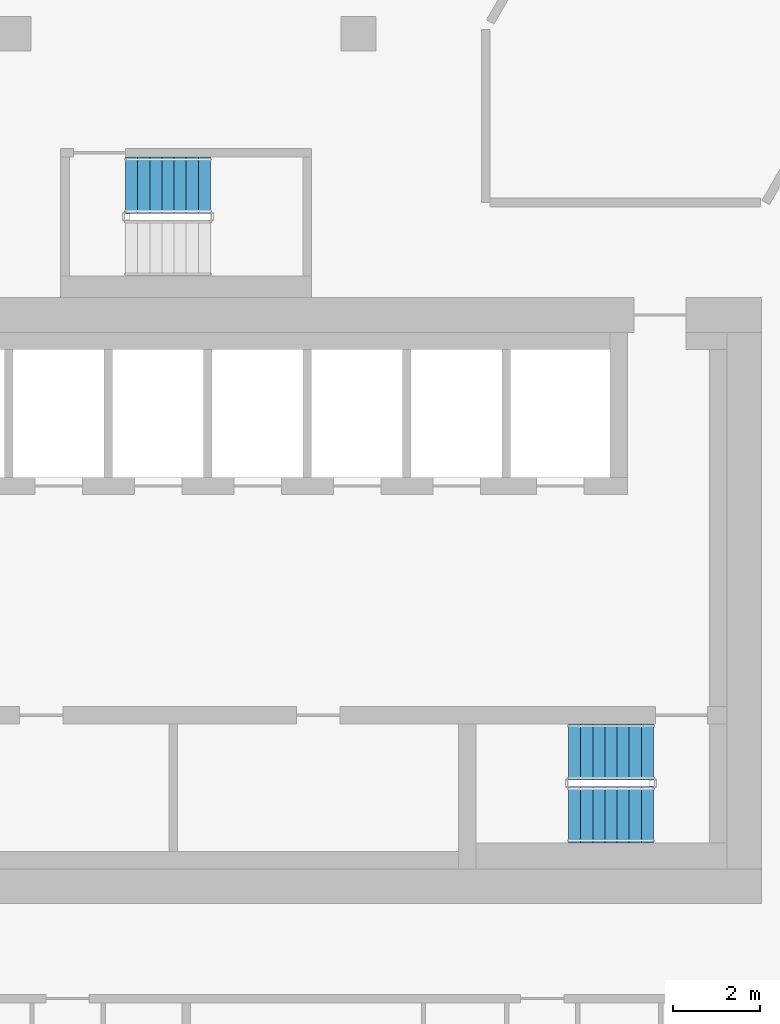
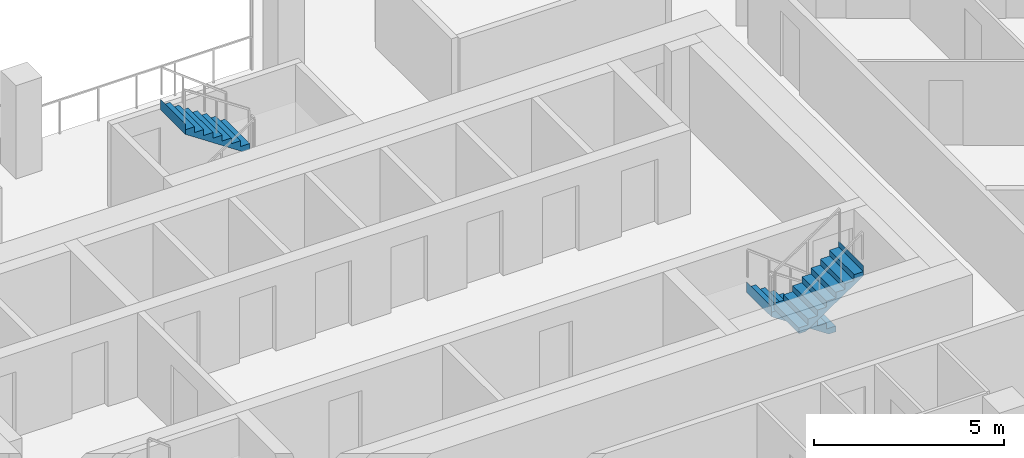
# One storey, part 11 of 15: 3 stair flights, 2 elements without a shape of their own.
"""IFC4 building model written with IfcOpenShell, lengths in metres."""

from ifc_helpers import new_model, si_unit, direction, frame, origin, place, context, subcontext, project, spatial, triangles, material, type_object, element, aggregate, save


model = new_model("IFC4")

# Units and contexts
model_context = context("Model", 3, precision=1e-05, world=origin(), true_north=direction((0.0, 1.0)))
body_context = subcontext(model_context, "Body", "Model", "MODEL_VIEW")
ifc_project = project(units=[si_unit("LENGTHUNIT", "METRE"), si_unit("AREAUNIT", "SQUARE_METRE"), si_unit("VOLUMEUNIT", "CUBIC_METRE"), si_unit("PLANEANGLEUNIT", "RADIAN"), si_unit("MASSUNIT", "GRAM", prefix="KILO")], contexts=[model_context])

# Site, building, storey
site_placement = place(None, origin())
site = spatial("IfcSite", under=ifc_project, at=site_placement, CompositionType="ELEMENT")
building_placement = place(site_placement, origin())
building = spatial("IfcBuilding", under=site, at=building_placement, Name="Beryl Residences", CompositionType="ELEMENT")
storey_placement = place(building_placement, frame((0.0, 0.0, 117.60009765625)))
storey = spatial("IfcBuildingStorey", under=building, at=storey_placement, Name="L35", CompositionType="ELEMENT", Elevation=117.60009765625)

# Stair, stair flights
ifc_material_1 = material(Name="Concrete C40/50", Category="concrete")
stair_type = type_object("IfcStairType", Name="ST1 protected exit stair, half-turn, 1300 mm flights", PredefinedType="HALF_TURN_STAIR", material=ifc_material_1)
stair_1_placement = place(storey_placement, origin())
stair_1 = element("IfcStair", 1, at=stair_1_placement, inside=storey, type_object=stair_type, Name="L35 PROTECTED EXIT STAIR ST-3", PredefinedType="HALF_TURN_STAIR")
ifc_material_2 = material(Name="Concrete C40/50", Category="concrete")
stair_flight_type = type_object("IfcStairFlightType", Name="SF1 stair flight 1300 mm", PredefinedType="STRAIGHT", material=ifc_material_2)
stair_flight_1_placement = place(storey_placement, frame((10.800048828125, -15.5, 0.0), z_axis=(0.0, 0.0, 1.0), x_axis=(-1.0, 0.0, 0.0)))
stair_flight_1 = element("IfcStairFlight", 2, at=stair_flight_1_placement, type_object=stair_flight_type, Name="ST-3 flight 1", NumberOfRisers=8, NumberOfTreads=7, PredefinedType="STRAIGHT", RiserHeight=0.1875, TreadLength=0.28, context=body_context, shape_type="Tessellation", body=[
    triangles([(0.0, -0.64990234375, 0.0), (0.0, -0.324951171875, 0.0), (0.0, 0.0, 0.0), (0.0, 0.324951171875, 0.0), (0.0, 0.64990234375, 0.0), (0.0, -0.64990234375, 0.1875), (0.0, -0.324951171875, 0.1875), (0.0, 0.0, 0.1875), (0.0, 0.324951171875, 0.1875), (0.0, 0.64990234375, 0.1875), (0.280029296875, -0.64990234375, 0.1875), (0.280029296875, -0.324951171875, 0.1875), (0.280029296875, 0.0, 0.1875), (0.280029296875, 0.324951171875, 0.1875), (0.280029296875, 0.64990234375, 0.1875), (0.280029296875, -0.64990234375, 0.375), (0.280029296875, -0.324951171875, 0.375), (0.280029296875, 0.0, 0.375), (0.280029296875, 0.324951171875, 0.375), (0.280029296875, 0.64990234375, 0.375), (0.56005859375, -0.64990234375, 0.375), (0.56005859375, -0.324951171875, 0.375), (0.56005859375, 0.0, 0.375), (0.56005859375, 0.324951171875, 0.375), (0.56005859375, 0.64990234375, 0.375), (0.56005859375, -0.64990234375, 0.5625), (0.56005859375, -0.324951171875, 0.5625), (0.56005859375, 0.0, 0.5625), (0.56005859375, 0.324951171875, 0.5625), (0.56005859375, 0.64990234375, 0.5625), (0.840087890625, -0.64990234375, 0.5625), (0.840087890625, -0.324951171875, 0.5625), (0.840087890625, 0.0, 0.5625), (0.840087890625, 0.324951171875, 0.5625), (0.840087890625, 0.64990234375, 0.5625), (0.840087890625, -0.64990234375, 0.75), (0.840087890625, -0.324951171875, 0.75), (0.840087890625, 0.0, 0.75), (0.840087890625, 0.324951171875, 0.75), (0.840087890625, 0.64990234375, 0.75), (1.1201171875, -0.64990234375, 0.75), (1.1201171875, -0.324951171875, 0.75), (1.1201171875, 0.0, 0.75), (1.1201171875, 0.324951171875, 0.75), (1.1201171875, 0.64990234375, 0.75), (1.1201171875, -0.64990234375, 0.9375), (1.1201171875, -0.324951171875, 0.9375), (1.1201171875, 0.0, 0.9375), (1.1201171875, 0.324951171875, 0.9375), (1.1201171875, 0.64990234375, 0.9375), (1.39990234375, -0.64990234375, 0.9375), (1.39990234375, -0.324951171875, 0.9375), (1.39990234375, 0.0, 0.9375), (1.39990234375, 0.324951171875, 0.9375), (1.39990234375, 0.64990234375, 0.9375), (1.39990234375, -0.64990234375, 1.125), (1.39990234375, -0.324951171875, 1.125), (1.39990234375, 0.0, 1.125), (1.39990234375, 0.324951171875, 1.125), (1.39990234375, 0.64990234375, 1.125), (1.679931640625, -0.64990234375, 1.125), (1.679931640625, -0.324951171875, 1.125), (1.679931640625, 0.0, 1.125), (1.679931640625, 0.324951171875, 1.125), (1.679931640625, 0.64990234375, 1.125), (1.679931640625, -0.64990234375, 1.3125), (1.679931640625, -0.324951171875, 1.3125), (1.679931640625, 0.0, 1.3125), (1.679931640625, 0.324951171875, 1.3125), (1.679931640625, 0.64990234375, 1.3125), (1.9599609375, -0.64990234375, 1.3125), (1.9599609375, -0.324951171875, 1.3125), (1.9599609375, 0.0, 1.3125), (1.9599609375, 0.324951171875, 1.3125), (1.9599609375, 0.64990234375, 1.3125), (1.9599609375, -0.64990234375, 1.5), (1.9599609375, -0.324951171875, 1.5), (1.9599609375, 0.0, 1.5), (1.9599609375, 0.324951171875, 1.5), (1.9599609375, 0.64990234375, 1.5), (1.9609375, -0.64990234375, 1.5), (1.9609375, -0.324951171875, 1.5), (1.9609375, 0.0, 1.5), (1.9609375, 0.324951171875, 1.5), (1.9609375, 0.64990234375, 1.5), (1.9609375, -0.64990234375, 1.16796875), (1.9609375, -0.324951171875, 1.16796875), (1.9609375, 0.0, 1.16796875), (1.9609375, 0.324951171875, 1.16796875), (1.9609375, 0.64990234375, 1.16796875), (0.216796875, -0.64990234375, 0.0), (0.216796875, -0.324951171875, 0.0), (0.216796875, 0.0, 0.0), (0.216796875, 0.324951171875, 0.0), (0.216796875, 0.64990234375, 0.0)], [[1, 6, 7], [1, 7, 2], [2, 7, 8], [2, 8, 3], [3, 8, 9], [3, 9, 4], [4, 9, 10], [4, 10, 5], [6, 11, 12], [6, 12, 7], [7, 12, 13], [7, 13, 8], [8, 13, 14], [8, 14, 9], [9, 14, 15], [9, 15, 10], [11, 16, 17], [11, 17, 12], [12, 17, 18], [12, 18, 13], [13, 18, 19], [13, 19, 14], [14, 19, 20], [14, 20, 15], [16, 21, 22], [16, 22, 17], [17, 22, 23], [17, 23, 18], [18, 23, 24], [18, 24, 19], [19, 24, 25], [19, 25, 20], [21, 26, 27], [21, 27, 22], [22, 27, 28], [22, 28, 23], [23, 28, 29], [23, 29, 24], [24, 29, 30], [24, 30, 25], [26, 31, 32], [26, 32, 27], [27, 32, 33], [27, 33, 28], [28, 33, 34], [28, 34, 29], [29, 34, 35], [29, 35, 30], [31, 36, 37], [31, 37, 32], [32, 37, 38], [32, 38, 33], [33, 38, 39], [33, 39, 34], [34, 39, 40], [34, 40, 35], [36, 41, 42], [36, 42, 37], [37, 42, 43], [37, 43, 38], [38, 43, 44], [38, 44, 39], [39, 44, 45], [39, 45, 40], [41, 46, 47], [41, 47, 42], [42, 47, 48], [42, 48, 43], [43, 48, 49], [43, 49, 44], [44, 49, 50], [44, 50, 45], [46, 51, 52], [46, 52, 47], [47, 52, 53], [47, 53, 48], [48, 53, 54], [48, 54, 49], [49, 54, 55], [49, 55, 50], [51, 56, 57], [51, 57, 52], [52, 57, 58], [52, 58, 53], [53, 58, 59], [53, 59, 54], [54, 59, 60], [54, 60, 55], [56, 61, 62], [56, 62, 57], [57, 62, 63], [57, 63, 58], [58, 63, 64], [58, 64, 59], [59, 64, 65], [59, 65, 60], [61, 66, 67], [61, 67, 62], [62, 67, 68], [62, 68, 63], [63, 68, 69], [63, 69, 64], [64, 69, 70], [64, 70, 65], [66, 71, 72], [66, 72, 67], [67, 72, 73], [67, 73, 68], [68, 73, 74], [68, 74, 69], [69, 74, 75], [69, 75, 70], [71, 76, 77], [71, 77, 72], [72, 77, 78], [72, 78, 73], [73, 78, 79], [73, 79, 74], [74, 79, 80], [74, 80, 75], [76, 81, 82], [76, 82, 77], [77, 82, 83], [77, 83, 78], [78, 83, 84], [78, 84, 79], [79, 84, 85], [79, 85, 80], [81, 86, 87], [81, 87, 82], [82, 87, 88], [82, 88, 83], [83, 88, 89], [83, 89, 84], [84, 89, 90], [84, 90, 85], [86, 91, 92], [86, 92, 87], [87, 92, 93], [87, 93, 88], [88, 93, 94], [88, 94, 89], [89, 94, 95], [89, 95, 90], [91, 1, 2], [91, 2, 92], [92, 2, 3], [92, 3, 93], [93, 3, 4], [93, 4, 94], [94, 4, 5], [94, 5, 95], [1, 91, 86], [5, 90, 95], [86, 81, 76], [90, 80, 85], [86, 76, 71], [90, 75, 80], [86, 71, 66], [90, 70, 75], [86, 66, 61], [90, 65, 70], [61, 56, 51], [65, 55, 60], [86, 61, 51], [90, 55, 65], [51, 46, 41], [55, 45, 50], [86, 51, 41], [90, 45, 55], [41, 36, 31], [45, 35, 40], [86, 41, 31], [90, 35, 45], [31, 26, 21], [35, 25, 30], [86, 31, 21], [90, 25, 35], [21, 16, 11], [25, 15, 20], [86, 21, 11], [90, 15, 25], [1, 86, 11], [5, 15, 90], [11, 6, 1], [15, 5, 10]], closed=True),
])
stair_flight_2_placement = place(storey_placement, frame((8.840087890625, -16.949951171875, 1.5), z_axis=(0.0, 0.0, 1.0), x_axis=(1.0, 0.0, 0.0)))
stair_flight_2 = element("IfcStairFlight", 3, at=stair_flight_2_placement, type_object=stair_flight_type, Name="ST-3 flight 2", NumberOfRisers=8, NumberOfTreads=7, PredefinedType="STRAIGHT", RiserHeight=0.1875, TreadLength=0.28, context=body_context, shape_type="Tessellation", body=[
    triangles([(0.0, -0.64990234375, 0.0), (0.0, -0.324951171875, 0.0), (0.0, 0.0, 0.0), (0.0, 0.324951171875, 0.0), (0.0, 0.64990234375, 0.0), (0.0, -0.64990234375, 0.1875), (0.0, -0.324951171875, 0.1875), (0.0, 0.0, 0.1875), (0.0, 0.324951171875, 0.1875), (0.0, 0.64990234375, 0.1875), (0.280029296875, -0.64990234375, 0.1875), (0.280029296875, -0.324951171875, 0.1875), (0.280029296875, 0.0, 0.1875), (0.280029296875, 0.324951171875, 0.1875), (0.280029296875, 0.64990234375, 0.1875), (0.280029296875, -0.64990234375, 0.375), (0.280029296875, -0.324951171875, 0.375), (0.280029296875, 0.0, 0.375), (0.280029296875, 0.324951171875, 0.375), (0.280029296875, 0.64990234375, 0.375), (0.56005859375, -0.64990234375, 0.375), (0.56005859375, -0.324951171875, 0.375), (0.56005859375, 0.0, 0.375), (0.56005859375, 0.324951171875, 0.375), (0.56005859375, 0.64990234375, 0.375), (0.56005859375, -0.64990234375, 0.5625), (0.56005859375, -0.324951171875, 0.5625), (0.56005859375, 0.0, 0.5625), (0.56005859375, 0.324951171875, 0.5625), (0.56005859375, 0.64990234375, 0.5625), (0.840087890625, -0.64990234375, 0.5625), (0.840087890625, -0.324951171875, 0.5625), (0.840087890625, 0.0, 0.5625), (0.840087890625, 0.324951171875, 0.5625), (0.840087890625, 0.64990234375, 0.5625), (0.840087890625, -0.64990234375, 0.75), (0.840087890625, -0.324951171875, 0.75), (0.840087890625, 0.0, 0.75), (0.840087890625, 0.324951171875, 0.75), (0.840087890625, 0.64990234375, 0.75), (1.1201171875, -0.64990234375, 0.75), (1.1201171875, -0.324951171875, 0.75), (1.1201171875, 0.0, 0.75), (1.1201171875, 0.324951171875, 0.75), (1.1201171875, 0.64990234375, 0.75), (1.1201171875, -0.64990234375, 0.9375), (1.1201171875, -0.324951171875, 0.9375), (1.1201171875, 0.0, 0.9375), (1.1201171875, 0.324951171875, 0.9375), (1.1201171875, 0.64990234375, 0.9375), (1.39990234375, -0.64990234375, 0.9375), (1.39990234375, -0.324951171875, 0.9375), (1.39990234375, 0.0, 0.9375), (1.39990234375, 0.324951171875, 0.9375), (1.39990234375, 0.64990234375, 0.9375), (1.39990234375, -0.64990234375, 1.125), (1.39990234375, -0.324951171875, 1.125), (1.39990234375, 0.0, 1.125), (1.39990234375, 0.324951171875, 1.125), (1.39990234375, 0.64990234375, 1.125), (1.679931640625, -0.64990234375, 1.125), (1.679931640625, -0.324951171875, 1.125), (1.679931640625, 0.0, 1.125), (1.679931640625, 0.324951171875, 1.125), (1.679931640625, 0.64990234375, 1.125), (1.679931640625, -0.64990234375, 1.3125), (1.679931640625, -0.324951171875, 1.3125), (1.679931640625, 0.0, 1.3125), (1.679931640625, 0.324951171875, 1.3125), (1.679931640625, 0.64990234375, 1.3125), (1.9599609375, -0.64990234375, 1.3125), (1.9599609375, -0.324951171875, 1.3125), (1.9599609375, 0.0, 1.3125), (1.9599609375, 0.324951171875, 1.3125), (1.9599609375, 0.64990234375, 1.3125), (1.9599609375, -0.64990234375, 1.5), (1.9599609375, -0.324951171875, 1.5), (1.9599609375, 0.0, 1.5), (1.9599609375, 0.324951171875, 1.5), (1.9599609375, 0.64990234375, 1.5), (1.9609375, -0.64990234375, 1.5), (1.9609375, -0.324951171875, 1.5), (1.9609375, 0.0, 1.5), (1.9609375, 0.324951171875, 1.5), (1.9609375, 0.64990234375, 1.5), (1.9609375, -0.64990234375, 1.16796875), (1.9609375, -0.324951171875, 1.16796875), (1.9609375, 0.0, 1.16796875), (1.9609375, 0.324951171875, 1.16796875), (1.9609375, 0.64990234375, 1.16796875), (0.216796875, -0.64990234375, 0.0), (0.216796875, -0.324951171875, 0.0), (0.216796875, 0.0, 0.0), (0.216796875, 0.324951171875, 0.0), (0.216796875, 0.64990234375, 0.0)], [[1, 6, 7], [1, 7, 2], [2, 7, 8], [2, 8, 3], [3, 8, 9], [3, 9, 4], [4, 9, 10], [4, 10, 5], [6, 11, 12], [6, 12, 7], [7, 12, 13], [7, 13, 8], [8, 13, 14], [8, 14, 9], [9, 14, 15], [9, 15, 10], [11, 16, 17], [11, 17, 12], [12, 17, 18], [12, 18, 13], [13, 18, 19], [13, 19, 14], [14, 19, 20], [14, 20, 15], [16, 21, 22], [16, 22, 17], [17, 22, 23], [17, 23, 18], [18, 23, 24], [18, 24, 19], [19, 24, 25], [19, 25, 20], [21, 26, 27], [21, 27, 22], [22, 27, 28], [22, 28, 23], [23, 28, 29], [23, 29, 24], [24, 29, 30], [24, 30, 25], [26, 31, 32], [26, 32, 27], [27, 32, 33], [27, 33, 28], [28, 33, 34], [28, 34, 29], [29, 34, 35], [29, 35, 30], [31, 36, 37], [31, 37, 32], [32, 37, 38], [32, 38, 33], [33, 38, 39], [33, 39, 34], [34, 39, 40], [34, 40, 35], [36, 41, 42], [36, 42, 37], [37, 42, 43], [37, 43, 38], [38, 43, 44], [38, 44, 39], [39, 44, 45], [39, 45, 40], [41, 46, 47], [41, 47, 42], [42, 47, 48], [42, 48, 43], [43, 48, 49], [43, 49, 44], [44, 49, 50], [44, 50, 45], [46, 51, 52], [46, 52, 47], [47, 52, 53], [47, 53, 48], [48, 53, 54], [48, 54, 49], [49, 54, 55], [49, 55, 50], [51, 56, 57], [51, 57, 52], [52, 57, 58], [52, 58, 53], [53, 58, 59], [53, 59, 54], [54, 59, 60], [54, 60, 55], [56, 61, 62], [56, 62, 57], [57, 62, 63], [57, 63, 58], [58, 63, 64], [58, 64, 59], [59, 64, 65], [59, 65, 60], [61, 66, 67], [61, 67, 62], [62, 67, 68], [62, 68, 63], [63, 68, 69], [63, 69, 64], [64, 69, 70], [64, 70, 65], [66, 71, 72], [66, 72, 67], [67, 72, 73], [67, 73, 68], [68, 73, 74], [68, 74, 69], [69, 74, 75], [69, 75, 70], [71, 76, 77], [71, 77, 72], [72, 77, 78], [72, 78, 73], [73, 78, 79], [73, 79, 74], [74, 79, 80], [74, 80, 75], [76, 81, 82], [76, 82, 77], [77, 82, 83], [77, 83, 78], [78, 83, 84], [78, 84, 79], [79, 84, 85], [79, 85, 80], [81, 86, 87], [81, 87, 82], [82, 87, 88], [82, 88, 83], [83, 88, 89], [83, 89, 84], [84, 89, 90], [84, 90, 85], [86, 91, 92], [86, 92, 87], [87, 92, 93], [87, 93, 88], [88, 93, 94], [88, 94, 89], [89, 94, 95], [89, 95, 90], [91, 1, 2], [91, 2, 92], [92, 2, 3], [92, 3, 93], [93, 3, 4], [93, 4, 94], [94, 4, 5], [94, 5, 95], [1, 91, 86], [5, 90, 95], [86, 81, 76], [90, 80, 85], [86, 76, 71], [90, 75, 80], [86, 71, 66], [90, 70, 75], [86, 66, 61], [90, 65, 70], [61, 56, 51], [65, 55, 60], [86, 61, 51], [90, 55, 65], [51, 46, 41], [55, 45, 50], [86, 51, 41], [90, 45, 55], [41, 36, 31], [45, 35, 40], [86, 41, 31], [90, 35, 45], [31, 26, 21], [35, 25, 30], [86, 31, 21], [90, 25, 35], [21, 16, 11], [25, 15, 20], [86, 21, 11], [90, 15, 25], [1, 86, 11], [5, 15, 90], [11, 6, 1], [15, 5, 10]], closed=True),
])
aggregate(stair_1, [stair_flight_1, stair_flight_2])

# Stair, stair flight
stair_2_placement = place(storey_placement, origin())
stair_2 = element("IfcStair", 4, at=stair_2_placement, inside=storey, type_object=stair_type, Name="L35 PROTECTED EXIT STAIR ST-4", PredefinedType="HALF_TURN_STAIR")
stair_flight_3_placement = place(storey_placement, frame((0.56005859375, -2.39990234375, 1.5), z_axis=(0.0, 0.0, 1.0), x_axis=(-1.0, 0.0, 0.0)))
stair_flight_3 = element("IfcStairFlight", 5, at=stair_flight_3_placement, type_object=stair_flight_type, Name="ST-4 flight 2", NumberOfRisers=8, NumberOfTreads=7, PredefinedType="STRAIGHT", RiserHeight=0.1875, TreadLength=0.28, context=body_context, shape_type="Tessellation", body=[
    triangles([(0.0, -0.64990234375, 0.0), (0.0, -0.324951171875, 0.0), (0.0, 0.0, 0.0), (0.0, 0.324951171875, 0.0), (0.0, 0.64990234375, 0.0), (0.0, -0.64990234375, 0.1875), (0.0, -0.324951171875, 0.1875), (0.0, 0.0, 0.1875), (0.0, 0.324951171875, 0.1875), (0.0, 0.64990234375, 0.1875), (0.280029296875, -0.64990234375, 0.1875), (0.280029296875, -0.324951171875, 0.1875), (0.280029296875, 0.0, 0.1875), (0.280029296875, 0.324951171875, 0.1875), (0.280029296875, 0.64990234375, 0.1875), (0.280029296875, -0.64990234375, 0.375), (0.280029296875, -0.324951171875, 0.375), (0.280029296875, 0.0, 0.375), (0.280029296875, 0.324951171875, 0.375), (0.280029296875, 0.64990234375, 0.375), (0.56005859375, -0.64990234375, 0.375), (0.56005859375, -0.324951171875, 0.375), (0.56005859375, 0.0, 0.375), (0.56005859375, 0.324951171875, 0.375), (0.56005859375, 0.64990234375, 0.375), (0.56005859375, -0.64990234375, 0.5625), (0.56005859375, -0.324951171875, 0.5625), (0.56005859375, 0.0, 0.5625), (0.56005859375, 0.324951171875, 0.5625), (0.56005859375, 0.64990234375, 0.5625), (0.840087890625, -0.64990234375, 0.5625), (0.840087890625, -0.324951171875, 0.5625), (0.840087890625, 0.0, 0.5625), (0.840087890625, 0.324951171875, 0.5625), (0.840087890625, 0.64990234375, 0.5625), (0.840087890625, -0.64990234375, 0.75), (0.840087890625, -0.324951171875, 0.75), (0.840087890625, 0.0, 0.75), (0.840087890625, 0.324951171875, 0.75), (0.840087890625, 0.64990234375, 0.75), (1.1201171875, -0.64990234375, 0.75), (1.1201171875, -0.324951171875, 0.75), (1.1201171875, 0.0, 0.75), (1.1201171875, 0.324951171875, 0.75), (1.1201171875, 0.64990234375, 0.75), (1.1201171875, -0.64990234375, 0.9375), (1.1201171875, -0.324951171875, 0.9375), (1.1201171875, 0.0, 0.9375), (1.1201171875, 0.324951171875, 0.9375), (1.1201171875, 0.64990234375, 0.9375), (1.39990234375, -0.64990234375, 0.9375), (1.39990234375, -0.324951171875, 0.9375), (1.39990234375, 0.0, 0.9375), (1.39990234375, 0.324951171875, 0.9375), (1.39990234375, 0.64990234375, 0.9375), (1.39990234375, -0.64990234375, 1.125), (1.39990234375, -0.324951171875, 1.125), (1.39990234375, 0.0, 1.125), (1.39990234375, 0.324951171875, 1.125), (1.39990234375, 0.64990234375, 1.125), (1.679931640625, -0.64990234375, 1.125), (1.679931640625, -0.324951171875, 1.125), (1.679931640625, 0.0, 1.125), (1.679931640625, 0.324951171875, 1.125), (1.679931640625, 0.64990234375, 1.125), (1.679931640625, -0.64990234375, 1.3125), (1.679931640625, -0.324951171875, 1.3125), (1.679931640625, 0.0, 1.3125), (1.679931640625, 0.324951171875, 1.3125), (1.679931640625, 0.64990234375, 1.3125), (1.9599609375, -0.64990234375, 1.3125), (1.9599609375, -0.324951171875, 1.3125), (1.9599609375, 0.0, 1.3125), (1.9599609375, 0.324951171875, 1.3125), (1.9599609375, 0.64990234375, 1.3125), (1.9599609375, -0.64990234375, 1.5), (1.9599609375, -0.324951171875, 1.5), (1.9599609375, 0.0, 1.5), (1.9599609375, 0.324951171875, 1.5), (1.9599609375, 0.64990234375, 1.5), (1.9609375, -0.64990234375, 1.5), (1.9609375, -0.324951171875, 1.5), (1.9609375, 0.0, 1.5), (1.9609375, 0.324951171875, 1.5), (1.9609375, 0.64990234375, 1.5), (1.9609375, -0.64990234375, 1.16796875), (1.9609375, -0.324951171875, 1.16796875), (1.9609375, 0.0, 1.16796875), (1.9609375, 0.324951171875, 1.16796875), (1.9609375, 0.64990234375, 1.16796875), (0.216796875, -0.64990234375, 0.0), (0.216796875, -0.324951171875, 0.0), (0.216796875, 0.0, 0.0), (0.216796875, 0.324951171875, 0.0), (0.216796875, 0.64990234375, 0.0)], [[1, 6, 7], [1, 7, 2], [2, 7, 8], [2, 8, 3], [3, 8, 9], [3, 9, 4], [4, 9, 10], [4, 10, 5], [6, 11, 12], [6, 12, 7], [7, 12, 13], [7, 13, 8], [8, 13, 14], [8, 14, 9], [9, 14, 15], [9, 15, 10], [11, 16, 17], [11, 17, 12], [12, 17, 18], [12, 18, 13], [13, 18, 19], [13, 19, 14], [14, 19, 20], [14, 20, 15], [16, 21, 22], [16, 22, 17], [17, 22, 23], [17, 23, 18], [18, 23, 24], [18, 24, 19], [19, 24, 25], [19, 25, 20], [21, 26, 27], [21, 27, 22], [22, 27, 28], [22, 28, 23], [23, 28, 29], [23, 29, 24], [24, 29, 30], [24, 30, 25], [26, 31, 32], [26, 32, 27], [27, 32, 33], [27, 33, 28], [28, 33, 34], [28, 34, 29], [29, 34, 35], [29, 35, 30], [31, 36, 37], [31, 37, 32], [32, 37, 38], [32, 38, 33], [33, 38, 39], [33, 39, 34], [34, 39, 40], [34, 40, 35], [36, 41, 42], [36, 42, 37], [37, 42, 43], [37, 43, 38], [38, 43, 44], [38, 44, 39], [39, 44, 45], [39, 45, 40], [41, 46, 47], [41, 47, 42], [42, 47, 48], [42, 48, 43], [43, 48, 49], [43, 49, 44], [44, 49, 50], [44, 50, 45], [46, 51, 52], [46, 52, 47], [47, 52, 53], [47, 53, 48], [48, 53, 54], [48, 54, 49], [49, 54, 55], [49, 55, 50], [51, 56, 57], [51, 57, 52], [52, 57, 58], [52, 58, 53], [53, 58, 59], [53, 59, 54], [54, 59, 60], [54, 60, 55], [56, 61, 62], [56, 62, 57], [57, 62, 63], [57, 63, 58], [58, 63, 64], [58, 64, 59], [59, 64, 65], [59, 65, 60], [61, 66, 67], [61, 67, 62], [62, 67, 68], [62, 68, 63], [63, 68, 69], [63, 69, 64], [64, 69, 70], [64, 70, 65], [66, 71, 72], [66, 72, 67], [67, 72, 73], [67, 73, 68], [68, 73, 74], [68, 74, 69], [69, 74, 75], [69, 75, 70], [71, 76, 77], [71, 77, 72], [72, 77, 78], [72, 78, 73], [73, 78, 79], [73, 79, 74], [74, 79, 80], [74, 80, 75], [76, 81, 82], [76, 82, 77], [77, 82, 83], [77, 83, 78], [78, 83, 84], [78, 84, 79], [79, 84, 85], [79, 85, 80], [81, 86, 87], [81, 87, 82], [82, 87, 88], [82, 88, 83], [83, 88, 89], [83, 89, 84], [84, 89, 90], [84, 90, 85], [86, 91, 92], [86, 92, 87], [87, 92, 93], [87, 93, 88], [88, 93, 94], [88, 94, 89], [89, 94, 95], [89, 95, 90], [91, 1, 2], [91, 2, 92], [92, 2, 3], [92, 3, 93], [93, 3, 4], [93, 4, 94], [94, 4, 5], [94, 5, 95], [1, 91, 86], [5, 90, 95], [86, 81, 76], [90, 80, 85], [86, 76, 71], [90, 75, 80], [86, 71, 66], [90, 70, 75], [86, 66, 61], [90, 65, 70], [61, 56, 51], [65, 55, 60], [86, 61, 51], [90, 55, 65], [51, 46, 41], [55, 45, 50], [86, 51, 41], [90, 45, 55], [41, 36, 31], [45, 35, 40], [86, 41, 31], [90, 35, 45], [31, 26, 21], [35, 25, 30], [86, 31, 21], [90, 25, 35], [21, 16, 11], [25, 15, 20], [86, 21, 11], [90, 15, 25], [1, 86, 11], [5, 15, 90], [11, 6, 1], [15, 5, 10]], closed=True),
])
aggregate(stair_2, [stair_flight_3])

save(model, "model.ifc")
